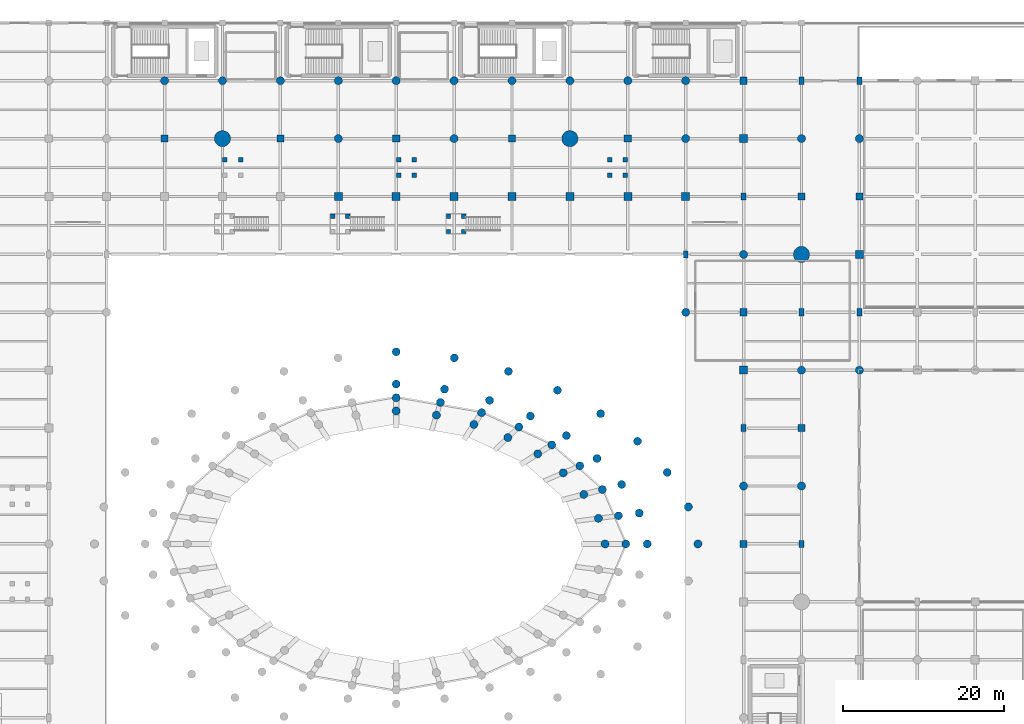
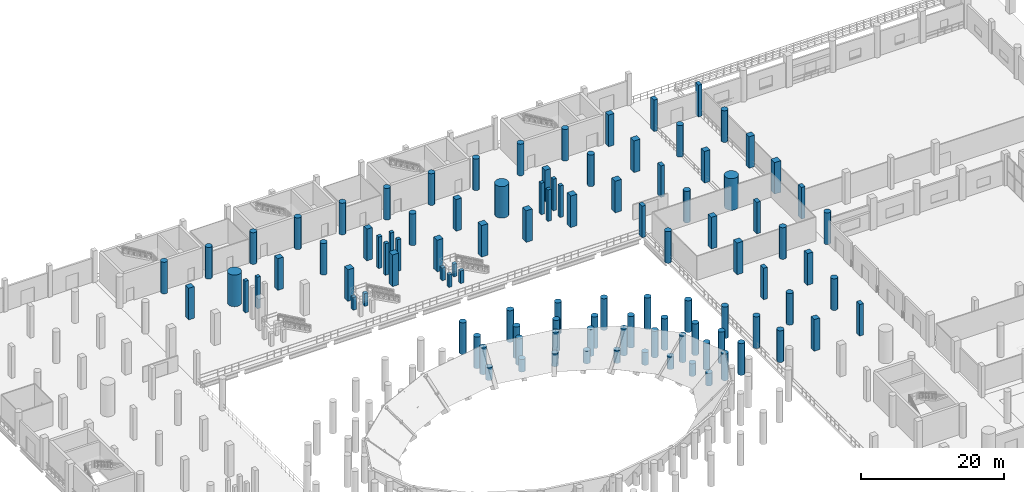
# One storey, part 3 of 58: 105 columns.
"""IFC4 building model written with IfcOpenShell, lengths in metres."""

from ifc_helpers import new_model, si_unit, direction, frame, origin, origin_2d, place, context, subcontext, project, spatial, rectangle, circle, extrude, material, material_profile, profile_set, type_object, element, save


model = new_model("IFC4")

# Units and contexts
model_context = context("Model", 3, precision=1e-05, world=origin(), true_north=direction((0.0, 1.0)))
body_context = subcontext(model_context, "Body", "Model", "MODEL_VIEW")
ifc_project = project(units=[si_unit("LENGTHUNIT", "METRE"), si_unit("AREAUNIT", "SQUARE_METRE"), si_unit("VOLUMEUNIT", "CUBIC_METRE"), si_unit("PLANEANGLEUNIT", "RADIAN"), si_unit("MASSUNIT", "GRAM", prefix="KILO")], contexts=[model_context])

# Site, building, storey
site_placement = place(None, origin())
site = spatial("IfcSite", under=ifc_project, at=site_placement, CompositionType="ELEMENT")
building_placement = place(site_placement, origin())
building = spatial("IfcBuilding", under=site, at=building_placement, Name="Qandorah Velis Arena", CompositionType="ELEMENT")
storey_placement = place(building_placement, origin())
storey = spatial("IfcBuildingStorey", under=building, at=storey_placement, Name="L00", CompositionType="ELEMENT", Elevation=0.0)

# Columns
ifc_material_1 = material(Name="Concrete C50/60", Category="concrete")
ifc_material_profile_1 = material_profile(ifc_material_1, circle(Radius=1.0, at=origin_2d()), Name="MC D2000")
ifc_profile_set_1 = profile_set([ifc_material_profile_1], Name="Concrete C50/60")
column_type_1 = type_object("IfcColumnType", Name="STR-COL-MC2000", PredefinedType="COLUMN", material=ifc_profile_set_1)
for number, where, z_axis, x_axis, name in (
    (1, (43.199951171875, 115.199951171875, 0.0), (0.0, 0.0, 1.0), (1.0, 0.0, 0.0), "Mega column MC6 (L00)"),
    (2, (86.39990234375, 115.199951171875, 0.0), (0.0, 0.0, 1.0), (1.0, 0.0, 0.0), "Mega column MC7 (L00)"),
    (3, (115.199951171875, 100.800048828125, 0.0), (0.0, 0.0, 1.0), (1.0, 0.0, 0.0), "Mega column MC10 (L00)"),
):
    element("IfcColumn", number, at=place(storey_placement, frame(where, z_axis=z_axis, x_axis=x_axis)), inside=storey, type_object=column_type_1, Name=name, PredefinedType="COLUMN", context=body_context, shape_type="SweptSolid", body=[
        extrude(circle(Radius=1.0, at=origin_2d()), origin(), (0.0, 0.0, 1.0), 5.39990234375),
    ])
ifc_material_2 = material(Name="Concrete C40/50", Category="concrete")
ifc_material_profile_2 = material_profile(ifc_material_2, rectangle(XDim=1.0, YDim=1.0, at=origin_2d()), Name="RC COL 1000x1000")
ifc_profile_set_2 = profile_set([ifc_material_profile_2], Name="Concrete C40/50")
column_type_2 = type_object("IfcColumnType", Name="STR-COL-RC1000", PredefinedType="COLUMN", material=ifc_profile_set_2)
for number, where, z_axis, x_axis, name in (
    (4, (57.60009765625, 108.0, 0.0), (0.0, 0.0, 1.0), (1.0, 0.0, 0.0), "Structural column L00-116"),
    (5, (64.800048828125, 108.0, 0.0), (0.0, 0.0, 1.0), (1.0, 0.0, 0.0), "Structural column L00-124"),
    (6, (72.0, 108.0, 0.0), (0.0, 0.0, 1.0), (1.0, 0.0, 0.0), "Structural column L00-132"),
    (7, (79.199951171875, 108.0, 0.0), (0.0, 0.0, 1.0), (1.0, 0.0, 0.0), "Structural column L00-140"),
    (8, (86.39990234375, 108.0, 0.0), (0.0, 0.0, 1.0), (1.0, 0.0, 0.0), "Structural column L00-148"),
    (9, (93.60009765625, 108.0, 0.0), (0.0, 0.0, 1.0), (1.0, 0.0, 0.0), "Structural column L00-156"),
    (10, (100.800048828125, 108.0, 0.0), (0.0, 0.0, 1.0), (1.0, 0.0, 0.0), "Structural column L00-168"),
    (11, (108.0, 86.39990234375, 0.0), (0.0, 0.0, 1.0), (1.0, 0.0, 0.0), "Structural column L00-184"),
    (12, (108.0, 115.199951171875, 0.0), (0.0, 0.0, 1.0), (1.0, 0.0, 0.0), "Structural column L00-188"),
    (13, (122.39990234375, 100.800048828125, 0.0), (0.0, 0.0, 1.0), (1.0, 0.0, 0.0), "Structural column L00-216"),
):
    element("IfcColumn", number, at=place(storey_placement, frame(where, z_axis=z_axis, x_axis=x_axis)), inside=storey, type_object=column_type_2, Name=name, PredefinedType="COLUMN", context=body_context, shape_type="SweptSolid", body=[
        extrude(rectangle(XDim=1.0, YDim=1.0, at=origin_2d()), origin(), (0.0, 0.0, 1.0), 5.39990234375),
    ])
ifc_material_profile_3 = material_profile(ifc_material_2, rectangle(XDim=0.550048828125, YDim=0.550048828125, at=origin_2d()), Name="RC COL 550x550")
ifc_profile_set_3 = profile_set([ifc_material_profile_3], Name="Concrete C40/50")
column_type_3 = type_object("IfcColumnType", Name="STR-COL-RC550", PredefinedType="COLUMN", material=ifc_profile_set_3)
for number, where, z_axis, x_axis, name in (
    (14, (56.89990234375, 105.550048828125, 0.0), (0.0, 0.0, 1.0), (1.0, 0.0, 0.0), "Vomitory VS5 L00 landing column 3"),
    (15, (58.800048828125, 105.550048828125, 0.0), (0.0, 0.0, 1.0), (1.0, 0.0, 0.0), "Vomitory VS5 L00 landing column 4"),
    (16, (71.300048828125, 103.64990234375, 0.0), (0.0, 0.0, 1.0), (1.0, 0.0, 0.0), "Vomitory VS6 L00 landing column 1"),
    (17, (73.199951171875, 103.64990234375, 0.0), (0.0, 0.0, 1.0), (1.0, 0.0, 0.0), "Vomitory VS6 L00 landing column 2"),
    (18, (71.300048828125, 105.550048828125, 0.0), (0.0, 0.0, 1.0), (1.0, 0.0, 0.0), "Vomitory VS6 L00 landing column 3"),
    (19, (73.199951171875, 105.550048828125, 0.0), (0.0, 0.0, 1.0), (1.0, 0.0, 0.0), "Vomitory VS6 L00 landing column 4"),
):
    element("IfcColumn", number, at=place(storey_placement, frame(where, z_axis=z_axis, x_axis=x_axis)), inside=storey, type_object=column_type_3, Name=name, PredefinedType="COLUMN", context=body_context, shape_type="SweptSolid", body=[
        extrude(rectangle(XDim=0.550048828125, YDim=0.550048828125, at=origin_2d()), origin(), (0.0, 0.0, 1.0), 2.159912109375),
    ])
for number, where, z_axis, x_axis, name in (
    (20, (43.5, 112.550048828125, 0.0), (0.0, 0.0, 1.0), (1.0, 0.0, 0.0), "Vomitory VS12 L00 landing column 3"),
    (21, (45.449951171875, 112.550048828125, 0.0), (0.0, 0.0, 1.0), (1.0, 0.0, 0.0), "Vomitory VS12 L00 landing column 4"),
    (22, (65.10009765625, 110.64990234375, 0.0), (0.0, 0.0, 1.0), (1.0, 0.0, 0.0), "Vomitory VS13 L00 landing column 1"),
    (23, (67.050048828125, 110.64990234375, 0.0), (0.0, 0.0, 1.0), (1.0, 0.0, 0.0), "Vomitory VS13 L00 landing column 2"),
    (24, (65.10009765625, 112.550048828125, 0.0), (0.0, 0.0, 1.0), (1.0, 0.0, 0.0), "Vomitory VS13 L00 landing column 3"),
    (25, (67.050048828125, 112.550048828125, 0.0), (0.0, 0.0, 1.0), (1.0, 0.0, 0.0), "Vomitory VS13 L00 landing column 4"),
    (26, (91.35009765625, 110.64990234375, 0.0), (0.0, 0.0, 1.0), (1.0, 0.0, 0.0), "Vomitory VS14 L00 landing column 1"),
    (27, (93.300048828125, 110.64990234375, 0.0), (0.0, 0.0, 1.0), (1.0, 0.0, 0.0), "Vomitory VS14 L00 landing column 2"),
    (28, (91.35009765625, 112.550048828125, 0.0), (0.0, 0.0, 1.0), (1.0, 0.0, 0.0), "Vomitory VS14 L00 landing column 3"),
    (29, (93.300048828125, 112.550048828125, 0.0), (0.0, 0.0, 1.0), (1.0, 0.0, 0.0), "Vomitory VS14 L00 landing column 4"),
):
    element("IfcColumn", number, at=place(storey_placement, frame(where, z_axis=z_axis, x_axis=x_axis)), inside=storey, type_object=column_type_3, Name=name, PredefinedType="COLUMN", context=body_context, shape_type="SweptSolid", body=[
        extrude(rectangle(XDim=0.550048828125, YDim=0.550048828125, at=origin_2d()), origin(), (0.0, 0.0, 1.0), 5.39990234375),
    ])
ifc_material_profile_4 = material_profile(ifc_material_2, rectangle(XDim=0.60009765625, YDim=0.89990234375, at=origin_2d()), Name="RC COL 600x900")
ifc_profile_set_4 = profile_set([ifc_material_profile_4], Name="Concrete C40/50")
column_type_4 = type_object("IfcColumnType", Name="STR-COL-RC600X900", PredefinedType="COLUMN", material=ifc_profile_set_4)
for number, where, z_axis, x_axis, name in (
    (30, (100.800048828125, 100.800048828125, 0.0), (0.0, 0.0, 1.0), (1.0, 0.0, 0.0), "Structural column L00-167"),
    (31, (108.0, 79.199951171875, 0.0), (0.0, 0.0, 1.0), (1.0, 0.0, 0.0), "Structural column L00-183"),
    (32, (108.0, 108.0, 0.0), (0.0, 0.0, 1.0), (1.0, 0.0, 0.0), "Structural column L00-187"),
    (33, (115.199951171875, 64.800048828125, 0.0), (0.0, 0.0, 1.0), (1.0, 0.0, 0.0), "Structural column L00-199"),
    (34, (115.199951171875, 93.60009765625, 0.0), (0.0, 0.0, 1.0), (1.0, 0.0, 0.0), "Structural column L00-203"),
    (35, (115.199951171875, 122.39990234375, 0.0), (0.0, 0.0, 1.0), (1.0, 0.0, 0.0), "Structural column L00-207"),
    (36, (122.39990234375, 93.60009765625, 0.0), (0.0, 0.0, 1.0), (1.0, 0.0, 0.0), "Structural column L00-215"),
    (37, (122.39990234375, 122.39990234375, 0.0), (0.0, 0.0, 1.0), (1.0, 0.0, 0.0), "Structural column L00-219"),
):
    element("IfcColumn", number, at=place(storey_placement, frame(where, z_axis=z_axis, x_axis=x_axis)), inside=storey, type_object=column_type_4, Name=name, PredefinedType="COLUMN", context=body_context, shape_type="SweptSolid", body=[
        extrude(rectangle(XDim=0.60009765625, YDim=0.89990234375, at=origin_2d()), origin(), (0.0, 0.0, 1.0), 5.39990234375),
    ])
ifc_material_profile_5 = material_profile(ifc_material_2, rectangle(XDim=0.89990234375, YDim=0.89990234375, at=origin_2d()), Name="RC COL 900x900")
ifc_profile_set_5 = profile_set([ifc_material_profile_5], Name="Concrete C40/50")
column_type_5 = type_object("IfcColumnType", Name="STR-COL-RC900", PredefinedType="COLUMN", material=ifc_profile_set_5)
for number, where, z_axis, x_axis, name in (
    (38, (36.0, 115.199951171875, 0.0), (0.0, 0.0, 1.0), (1.0, 0.0, 0.0), "Structural column L00-093"),
    (39, (50.39990234375, 115.199951171875, 0.0), (0.0, 0.0, 1.0), (1.0, 0.0, 0.0), "Structural column L00-109"),
    (40, (64.800048828125, 115.199951171875, 0.0), (0.0, 0.0, 1.0), (1.0, 0.0, 0.0), "Structural column L00-125"),
    (41, (79.199951171875, 115.199951171875, 0.0), (0.0, 0.0, 1.0), (1.0, 0.0, 0.0), "Structural column L00-141"),
    (42, (93.60009765625, 115.199951171875, 0.0), (0.0, 0.0, 1.0), (1.0, 0.0, 0.0), "Structural column L00-157"),
    (43, (108.0, 64.800048828125, 0.0), (0.0, 0.0, 1.0), (1.0, 0.0, 0.0), "Structural column L00-181"),
    (44, (108.0, 93.60009765625, 0.0), (0.0, 0.0, 1.0), (1.0, 0.0, 0.0), "Structural column L00-185"),
    (45, (108.0, 122.39990234375, 0.0), (0.0, 0.0, 1.0), (1.0, 0.0, 0.0), "Structural column L00-189"),
    (46, (115.199951171875, 79.199951171875, 0.0), (0.0, 0.0, 1.0), (1.0, 0.0, 0.0), "Structural column L00-201"),
    (47, (115.199951171875, 108.0, 0.0), (0.0, 0.0, 1.0), (1.0, 0.0, 0.0), "Structural column L00-205"),
    (48, (122.39990234375, 108.0, 0.0), (0.0, 0.0, 1.0), (1.0, 0.0, 0.0), "Structural column L00-217"),
):
    element("IfcColumn", number, at=place(storey_placement, frame(where, z_axis=z_axis, x_axis=x_axis)), inside=storey, type_object=column_type_5, Name=name, PredefinedType="COLUMN", context=body_context, shape_type="SweptSolid", body=[
        extrude(rectangle(XDim=0.89990234375, YDim=0.89990234375, at=origin_2d()), origin(), (0.0, 0.0, 1.0), 5.39990234375),
    ])
ifc_material_profile_6 = material_profile(ifc_material_2, circle(Radius=0.5, at=origin_2d()), Name="RC D1000")
ifc_profile_set_6 = profile_set([ifc_material_profile_6], Name="Concrete C40/50")
column_type_6 = type_object("IfcColumnType", Name="STR-COL-RCD1000", PredefinedType="COLUMN", material=ifc_profile_set_6)
for number, where, z_axis, x_axis, name in (
    (49, (36.0, 122.39990234375, 0.0), (0.0, 0.0, 1.0), (1.0, 0.0, 0.0), "Structural column L00-094"),
    (50, (43.199951171875, 122.39990234375, 0.0), (0.0, 0.0, 1.0), (1.0, 0.0, 0.0), "Structural column L00-102"),
    (51, (50.39990234375, 122.39990234375, 0.0), (0.0, 0.0, 1.0), (1.0, 0.0, 0.0), "Structural column L00-110"),
    (52, (57.60009765625, 115.199951171875, 0.0), (0.0, 0.0, 1.0), (1.0, 0.0, 0.0), "Bowl drum ring column L00-117"),
    (53, (57.60009765625, 122.39990234375, 0.0), (0.0, 0.0, 1.0), (1.0, 0.0, 0.0), "Structural column L00-118"),
    (54, (64.800048828125, 122.39990234375, 0.0), (0.0, 0.0, 1.0), (1.0, 0.0, 0.0), "Structural column L00-126"),
    (55, (72.0, 115.199951171875, 0.0), (0.0, 0.0, 1.0), (1.0, 0.0, 0.0), "Bowl drum ring column L00-133"),
    (56, (72.0, 122.39990234375, 0.0), (0.0, 0.0, 1.0), (1.0, 0.0, 0.0), "Structural column L00-134"),
    (57, (79.199951171875, 122.39990234375, 0.0), (0.0, 0.0, 1.0), (1.0, 0.0, 0.0), "Structural column L00-142"),
    (58, (86.39990234375, 122.39990234375, 0.0), (0.0, 0.0, 1.0), (1.0, 0.0, 0.0), "Structural column L00-150"),
    (59, (93.60009765625, 122.39990234375, 0.0), (0.0, 0.0, 1.0), (1.0, 0.0, 0.0), "Structural column L00-158"),
    (60, (100.800048828125, 93.60009765625, 0.0), (0.0, 0.0, 1.0), (1.0, 0.0, 0.0), "Structural column L00-166"),
    (61, (100.800048828125, 115.199951171875, 0.0), (0.0, 0.0, 1.0), (1.0, 0.0, 0.0), "Bowl drum ring column L00-169"),
    (62, (100.800048828125, 122.39990234375, 0.0), (0.0, 0.0, 1.0), (1.0, 0.0, 0.0), "Structural column L00-170"),
    (63, (108.0, 72.0, 0.0), (0.0, 0.0, 1.0), (1.0, 0.0, 0.0), "Structural column L00-182"),
    (64, (108.0, 100.800048828125, 0.0), (0.0, 0.0, 1.0), (1.0, 0.0, 0.0), "Structural column L00-186"),
    (65, (115.199951171875, 72.0, 0.0), (0.0, 0.0, 1.0), (1.0, 0.0, 0.0), "Bowl drum ring column L00-200"),
    (66, (115.199951171875, 86.39990234375, 0.0), (0.0, 0.0, 1.0), (1.0, 0.0, 0.0), "Bowl drum ring column L00-202"),
    (67, (115.199951171875, 115.199951171875, 0.0), (0.0, 0.0, 1.0), (1.0, 0.0, 0.0), "Bowl drum ring column L00-206"),
    (68, (122.39990234375, 86.39990234375, 0.0), (0.0, 0.0, 1.0), (1.0, 0.0, 0.0), "Structural column L00-214"),
    (69, (122.39990234375, 115.199951171875, 0.0), (0.0, 0.0, 1.0), (1.0, 0.0, 0.0), "Structural column L00-218"),
):
    element("IfcColumn", number, at=place(storey_placement, frame(where, z_axis=z_axis, x_axis=x_axis)), inside=storey, type_object=column_type_6, Name=name, PredefinedType="COLUMN", context=body_context, shape_type="SweptSolid", body=[
        extrude(circle(Radius=0.5, at=origin_2d()), origin(), (0.0, 0.0, 1.0), 5.39990234375),
    ])
column_1_placement = place(storey_placement, frame((90.77392578125, 64.800048828125, 0.0), z_axis=(0.0, 0.0, 1.0), x_axis=(1.0, 0.0, 0.0)))
element("IfcColumn", 70, at=column_1_placement, inside=storey, type_object=column_type_6, Name="Lower bowl mid L00 support column 1.1", PredefinedType="COLUMN", context=body_context, shape_type="SweptSolid", body=[
    extrude(circle(Radius=0.5, at=origin_2d()), origin(), (0.0, 0.0, 1.0), 2.159912109375),
])
column_2_placement = place(storey_placement, frame((93.347900390625, 64.800048828125, 0.0), z_axis=(0.0, 0.0, 1.0), x_axis=(1.0, 0.0, 0.0)))
element("IfcColumn", 71, at=column_2_placement, inside=storey, type_object=column_type_6, Name="Lower bowl raker support column 1.1", PredefinedType="COLUMN", context=body_context, shape_type="SweptSolid", body=[
    extrude(circle(Radius=0.5, at=origin_2d()), origin(), (0.0, 0.0, 1.0), 4.56005859375),
])
column_3_placement = place(storey_placement, frame((89.947021484375, 67.985107421875, 0.0), z_axis=(0.0, 0.0, 1.0), x_axis=(1.0, 0.0, 0.0)))
element("IfcColumn", 72, at=column_3_placement, inside=storey, type_object=column_type_6, Name="Lower bowl mid L00 support column 1.2", PredefinedType="COLUMN", context=body_context, shape_type="SweptSolid", body=[
    extrude(circle(Radius=0.5, at=origin_2d()), origin(), (0.0, 0.0, 1.0), 2.159912109375),
])
column_4_placement = place(storey_placement, frame((92.439208984375, 68.30078125, 0.0), z_axis=(0.0, 0.0, 1.0), x_axis=(1.0, 0.0, 0.0)))
element("IfcColumn", 73, at=column_4_placement, inside=storey, type_object=column_type_6, Name="Lower bowl raker support column 1.2", PredefinedType="COLUMN", context=body_context, shape_type="SweptSolid", body=[
    extrude(circle(Radius=0.5, at=origin_2d()), origin(), (0.0, 0.0, 1.0), 4.56005859375),
])
for number, where, z_axis, x_axis, name in (
    (74, (96.02001953125, 64.800048828125, 0.0), (0.0, 0.0, 1.0), (1.0, 0.0, 0.0), "Upper raker fulcrum column L00 1.1"),
    (75, (102.320068359375, 64.800048828125, 0.0), (0.0, 0.0, 1.0), (1.0, 0.0, 0.0), "Outer bowl raker column L00 1.1"),
    (76, (95.02587890625, 68.62841796875, 0.0), (0.0, 0.0, 1.0), (1.0, 0.0, 0.0), "Upper raker fulcrum column L00 1.2"),
    (77, (101.12548828125, 69.40087890625, 0.0), (0.0, 0.0, 1.0), (1.0, 0.0, 0.0), "Outer bowl raker column L00 1.2"),
):
    element("IfcColumn", number, at=place(storey_placement, frame(where, z_axis=z_axis, x_axis=x_axis)), inside=storey, type_object=column_type_6, Name=name, PredefinedType="COLUMN", context=body_context, shape_type="SweptSolid", body=[
        extrude(circle(Radius=0.5, at=origin_2d()), origin(), (0.0, 0.0, 1.0), 5.39990234375),
    ])
column_5_placement = place(storey_placement, frame((88.12841796875, 70.952880859375, 0.0), z_axis=(0.0, 0.0, 1.0), x_axis=(1.0, 0.0, 0.0)))
element("IfcColumn", 78, at=column_5_placement, inside=storey, type_object=column_type_6, Name="Lower bowl mid L00 support column 2.1", PredefinedType="COLUMN", context=body_context, shape_type="SweptSolid", body=[
    extrude(circle(Radius=0.5, at=origin_2d()), origin(), (0.0, 0.0, 1.0), 2.159912109375),
])
column_6_placement = place(storey_placement, frame((90.440185546875, 71.5625, 0.0), z_axis=(0.0, 0.0, 1.0), x_axis=(1.0, 0.0, 0.0)))
element("IfcColumn", 79, at=column_6_placement, inside=storey, type_object=column_type_6, Name="Lower bowl raker support column 2.1", PredefinedType="COLUMN", context=body_context, shape_type="SweptSolid", body=[
    extrude(circle(Radius=0.5, at=origin_2d()), origin(), (0.0, 0.0, 1.0), 4.56005859375),
])
column_7_placement = place(storey_placement, frame((85.576171875, 73.639404296875, 0.0), z_axis=(0.0, 0.0, 1.0), x_axis=(1.0, 0.0, 0.0)))
element("IfcColumn", 80, at=column_7_placement, inside=storey, type_object=column_type_6, Name="Lower bowl mid L00 support column 2.2", PredefinedType="COLUMN", context=body_context, shape_type="SweptSolid", body=[
    extrude(circle(Radius=0.5, at=origin_2d()), origin(), (0.0, 0.0, 1.0), 2.159912109375),
])
column_8_placement = place(storey_placement, frame((87.635009765625, 74.515380859375, 0.0), z_axis=(0.0, 0.0, 1.0), x_axis=(1.0, 0.0, 0.0)))
element("IfcColumn", 81, at=column_8_placement, inside=storey, type_object=column_type_6, Name="Lower bowl raker support column 2.2", PredefinedType="COLUMN", context=body_context, shape_type="SweptSolid", body=[
    extrude(circle(Radius=0.5, at=origin_2d()), origin(), (0.0, 0.0, 1.0), 4.56005859375),
])
for number, where, z_axis, x_axis, name in (
    (82, (92.840087890625, 72.195556640625, 0.0), (0.0, 0.0, 1.0), (1.0, 0.0, 0.0), "Upper raker fulcrum column L00 2.1"),
    (83, (98.498291015625, 73.68798828125, 0.0), (0.0, 0.0, 1.0), (1.0, 0.0, 0.0), "Outer bowl raker column L00 2.1"),
    (84, (89.772216796875, 75.4248046875, 0.0), (0.0, 0.0, 1.0), (1.0, 0.0, 0.0), "Upper raker fulcrum column L00 2.2"),
    (85, (94.8115234375, 77.56884765625, 0.0), (0.0, 0.0, 1.0), (1.0, 0.0, 0.0), "Outer bowl raker column L00 2.2"),
):
    element("IfcColumn", number, at=place(storey_placement, frame(where, z_axis=z_axis, x_axis=x_axis)), inside=storey, type_object=column_type_6, Name=name, PredefinedType="COLUMN", context=body_context, shape_type="SweptSolid", body=[
        extrude(circle(Radius=0.5, at=origin_2d()), origin(), (0.0, 0.0, 1.0), 5.39990234375),
    ])
column_9_placement = place(storey_placement, frame((82.404296875, 76.009521484375, 0.0), z_axis=(0.0, 0.0, 1.0), x_axis=(1.0, 0.0, 0.0)))
element("IfcColumn", 86, at=column_9_placement, inside=storey, type_object=column_type_6, Name="Lower bowl mid L00 support column 3.1", PredefinedType="COLUMN", context=body_context, shape_type="SweptSolid", body=[
    extrude(circle(Radius=0.5, at=origin_2d()), origin(), (0.0, 0.0, 1.0), 2.159912109375),
])
column_10_placement = place(storey_placement, frame((84.148681640625, 77.120361328125, 0.0), z_axis=(0.0, 0.0, 1.0), x_axis=(1.0, 0.0, 0.0)))
element("IfcColumn", 87, at=column_10_placement, inside=storey, type_object=column_type_6, Name="Lower bowl raker support column 3.1", PredefinedType="COLUMN", context=body_context, shape_type="SweptSolid", body=[
    extrude(circle(Radius=0.5, at=origin_2d()), origin(), (0.0, 0.0, 1.0), 4.56005859375),
])
column_11_placement = place(storey_placement, frame((78.68212890625, 78.029296875, 0.0), z_axis=(0.0, 0.0, 1.0), x_axis=(1.0, 0.0, 0.0)))
element("IfcColumn", 88, at=column_11_placement, inside=storey, type_object=column_type_6, Name="Lower bowl mid L00 support column 3.2", PredefinedType="COLUMN", context=body_context, shape_type="SweptSolid", body=[
    extrude(circle(Radius=0.5, at=origin_2d()), origin(), (0.0, 0.0, 1.0), 2.159912109375),
])
column_12_placement = place(storey_placement, frame((80.057861328125, 79.34033203125, 0.0), z_axis=(0.0, 0.0, 1.0), x_axis=(1.0, 0.0, 0.0)))
element("IfcColumn", 89, at=column_12_placement, inside=storey, type_object=column_type_6, Name="Lower bowl raker support column 3.2", PredefinedType="COLUMN", context=body_context, shape_type="SweptSolid", body=[
    extrude(circle(Radius=0.5, at=origin_2d()), origin(), (0.0, 0.0, 1.0), 4.56005859375),
])
for number, where, z_axis, x_axis, name in (
    (90, (85.959716796875, 78.2734375, 0.0), (0.0, 0.0, 1.0), (1.0, 0.0, 0.0), "Upper raker fulcrum column L00 3.1"),
    (91, (90.229736328125, 80.992431640625, 0.0), (0.0, 0.0, 1.0), (1.0, 0.0, 0.0), "Outer bowl raker column L00 3.1"),
    (92, (81.486083984375, 80.701171875, 0.0), (0.0, 0.0, 1.0), (1.0, 0.0, 0.0), "Upper raker fulcrum column L00 3.2"),
    (93, (84.85302734375, 83.909912109375, 0.0), (0.0, 0.0, 1.0), (1.0, 0.0, 0.0), "Outer bowl raker column L00 3.2"),
):
    element("IfcColumn", number, at=place(storey_placement, frame(where, z_axis=z_axis, x_axis=x_axis)), inside=storey, type_object=column_type_6, Name=name, PredefinedType="COLUMN", context=body_context, shape_type="SweptSolid", body=[
        extrude(circle(Radius=0.5, at=origin_2d()), origin(), (0.0, 0.0, 1.0), 5.39990234375),
    ])
column_13_placement = place(storey_placement, frame((74.462890625, 79.654296875, 0.0), z_axis=(0.0, 0.0, 1.0), x_axis=(1.0, 0.0, 0.0)))
element("IfcColumn", 94, at=column_13_placement, inside=storey, type_object=column_type_6, Name="Lower bowl mid L00 support column 4.1", PredefinedType="COLUMN", context=body_context, shape_type="SweptSolid", body=[
    extrude(circle(Radius=0.5, at=origin_2d()), origin(), (0.0, 0.0, 1.0), 2.159912109375),
])
column_14_placement = place(storey_placement, frame((75.42041015625, 81.12646484375, 0.0), z_axis=(0.0, 0.0, 1.0), x_axis=(1.0, 0.0, 0.0)))
element("IfcColumn", 95, at=column_14_placement, inside=storey, type_object=column_type_6, Name="Lower bowl raker support column 4.1", PredefinedType="COLUMN", context=body_context, shape_type="SweptSolid", body=[
    extrude(circle(Radius=0.5, at=origin_2d()), origin(), (0.0, 0.0, 1.0), 4.56005859375),
])
column_15_placement = place(storey_placement, frame((69.802001953125, 80.8125, 0.0), z_axis=(0.0, 0.0, 1.0), x_axis=(1.0, 0.0, 0.0)))
element("IfcColumn", 96, at=column_15_placement, inside=storey, type_object=column_type_6, Name="Lower bowl mid L00 support column 4.2", PredefinedType="COLUMN", context=body_context, shape_type="SweptSolid", body=[
    extrude(circle(Radius=0.5, at=origin_2d()), origin(), (0.0, 0.0, 1.0), 2.159912109375),
])
column_16_placement = place(storey_placement, frame((70.2978515625, 82.399169921875, 0.0), z_axis=(0.0, 0.0, 1.0), x_axis=(1.0, 0.0, 0.0)))
element("IfcColumn", 97, at=column_16_placement, inside=storey, type_object=column_type_6, Name="Lower bowl raker support column 4.2", PredefinedType="COLUMN", context=body_context, shape_type="SweptSolid", body=[
    extrude(circle(Radius=0.5, at=origin_2d()), origin(), (0.0, 0.0, 1.0), 4.56005859375),
])
for number, where, z_axis, x_axis, name in (
    (98, (76.41455078125, 82.654541015625, 0.0), (0.0, 0.0, 1.0), (1.0, 0.0, 0.0), "Upper raker fulcrum column L00 4.1"),
    (99, (78.75830078125, 86.25732421875, 0.0), (0.0, 0.0, 1.0), (1.0, 0.0, 0.0), "Outer bowl raker column L00 4.1"),
    (100, (70.812255859375, 84.04638671875, 0.0), (0.0, 0.0, 1.0), (1.0, 0.0, 0.0), "Upper raker fulcrum column L00 4.2"),
    (101, (72.025634765625, 87.930419921875, 0.0), (0.0, 0.0, 1.0), (1.0, 0.0, 0.0), "Outer bowl raker column L00 4.2"),
):
    element("IfcColumn", number, at=place(storey_placement, frame(where, z_axis=z_axis, x_axis=x_axis)), inside=storey, type_object=column_type_6, Name=name, PredefinedType="COLUMN", context=body_context, shape_type="SweptSolid", body=[
        extrude(circle(Radius=0.5, at=origin_2d()), origin(), (0.0, 0.0, 1.0), 5.39990234375),
    ])
column_17_placement = place(storey_placement, frame((64.800048828125, 81.339111328125, 0.0), z_axis=(0.0, 0.0, 1.0), x_axis=(1.0, 0.0, 0.0)))
element("IfcColumn", 102, at=column_17_placement, inside=storey, type_object=column_type_6, Name="Lower bowl mid L00 support column 5.1", PredefinedType="COLUMN", context=body_context, shape_type="SweptSolid", body=[
    extrude(circle(Radius=0.5, at=origin_2d()), origin(), (0.0, 0.0, 1.0), 2.159912109375),
])
column_18_placement = place(storey_placement, frame((64.800048828125, 82.97802734375, 0.0), z_axis=(0.0, 0.0, 1.0), x_axis=(1.0, 0.0, 0.0)))
element("IfcColumn", 103, at=column_18_placement, inside=storey, type_object=column_type_6, Name="Lower bowl raker support column 5.1", PredefinedType="COLUMN", context=body_context, shape_type="SweptSolid", body=[
    extrude(circle(Radius=0.5, at=origin_2d()), origin(), (0.0, 0.0, 1.0), 4.56005859375),
])
for number, where, z_axis, x_axis, name in (
    (104, (64.800048828125, 84.679443359375, 0.0), (0.0, 0.0, 1.0), (1.0, 0.0, 0.0), "Upper raker fulcrum column L00 5.1"),
    (105, (64.800048828125, 88.69091796875, 0.0), (0.0, 0.0, 1.0), (1.0, 0.0, 0.0), "Outer bowl raker column L00 5.1"),
):
    element("IfcColumn", number, at=place(storey_placement, frame(where, z_axis=z_axis, x_axis=x_axis)), inside=storey, type_object=column_type_6, Name=name, PredefinedType="COLUMN", context=body_context, shape_type="SweptSolid", body=[
        extrude(circle(Radius=0.5, at=origin_2d()), origin(), (0.0, 0.0, 1.0), 5.39990234375),
    ])

save(model, "model.ifc")
